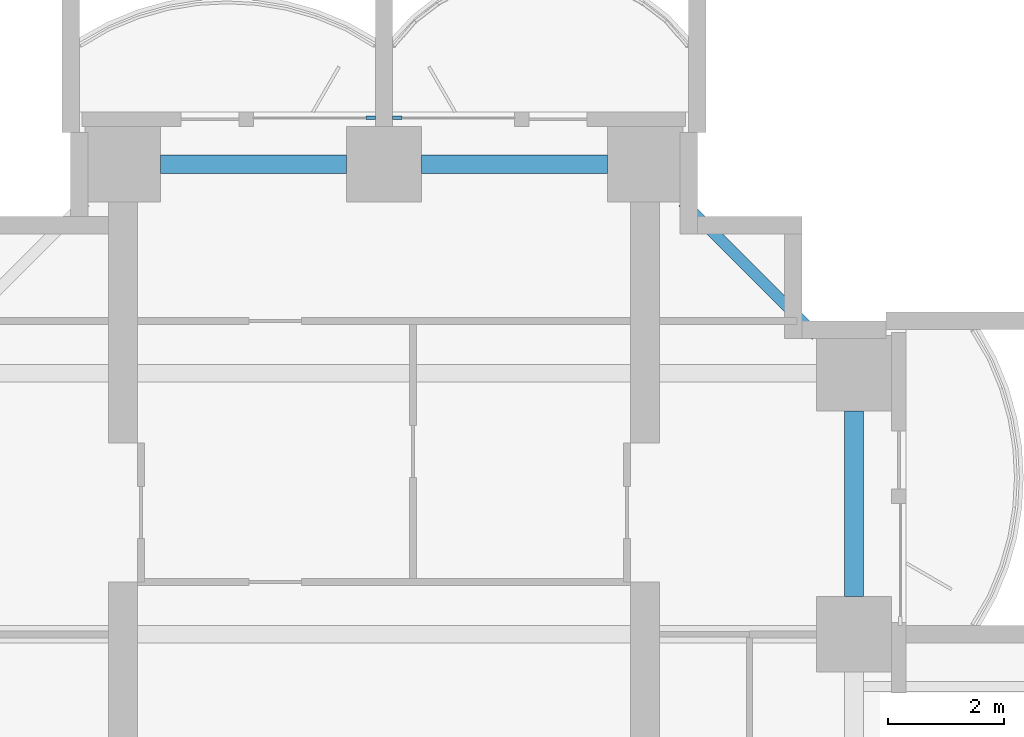
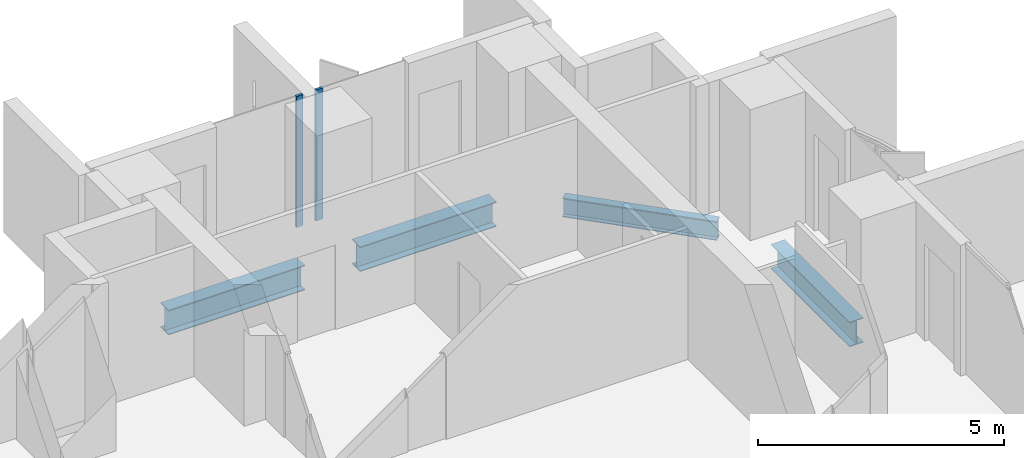
# One storey, part 7 of 20: 4 beams, 2 members, 2 elements without a shape of their own.
"""IFC4 building model written with IfcOpenShell, lengths in metres."""

from ifc_helpers import new_model, si_unit, direction, frame, origin, origin_2d, place, context, subcontext, project, spatial, rectangle, i_section, extrude, material, material_profile, profile_set, type_object, element, aggregate, save


model = new_model("IFC4")

# Units and contexts
model_context = context("Model", 3, precision=1e-05, world=origin(), true_north=direction((0.0, 1.0)))
body_context = subcontext(model_context, "Body", "Model", "MODEL_VIEW")
ifc_project = project(units=[si_unit("LENGTHUNIT", "METRE"), si_unit("AREAUNIT", "SQUARE_METRE"), si_unit("VOLUMEUNIT", "CUBIC_METRE"), si_unit("PLANEANGLEUNIT", "RADIAN"), si_unit("MASSUNIT", "GRAM", prefix="KILO")], contexts=[model_context])

# Site, building, storey
site_placement = place(None, origin())
site = spatial("IfcSite", under=ifc_project, at=site_placement, CompositionType="ELEMENT")
building_placement = place(site_placement, origin())
building = spatial("IfcBuilding", under=site, at=building_placement, Name="Perihelion Cross Residences", CompositionType="ELEMENT")
storey_placement = place(building_placement, frame((0.0, 0.0, 82.0)))
storey = spatial("IfcBuildingStorey", under=building, at=storey_placement, Name="L18", CompositionType="ELEMENT", Elevation=82.0)

# Curtain wall, member
ifc_material_1 = material(Name="Bronze anodised aluminium, tinted glazing", Category="aluminium")
curtain_wall_type = type_object("IfcCurtainWallType", Name="CW1", PredefinedType="NOTDEFINED", material=ifc_material_1)
curtain_wall_1_placement = place(storey_placement, origin())
curtain_wall_1 = element("IfcCurtainWall", 1, at=curtain_wall_1_placement, inside=storey, type_object=curtain_wall_type, Name="Curtain wall CW1 L18 north tip north bay 1", PredefinedType="NOTDEFINED")
ifc_material_2 = material(Name="Bronze anodised aluminium", Category="aluminium")
ifc_material_profile_1 = material_profile(ifc_material_2, rectangle(XDim=0.06005859375, YDim=0.159912109375, at=origin_2d()), Name="CW1 mullion")
ifc_profile_set_1 = profile_set([ifc_material_profile_1], Name="Bronze anodised aluminium")
member_type = type_object("IfcMemberType", Name="CW1 mullion", PredefinedType="MULLION", material=ifc_profile_set_1)
member_1_placement = place(storey_placement, frame((0.22998046875, 26.89990234375, 0.0), z_axis=(0.0, 0.0, 1.0), x_axis=(0.0, -1.0, 0.0)))
member_1 = element("IfcMember", 2, at=member_1_placement, type_object=member_type, Name="CW1 mullion 2", PredefinedType="MULLION", context=body_context, shape_type="SweptSolid", body=[
    extrude(rectangle(XDim=0.06005859375, YDim=0.159912109375, at=origin_2d()), origin(), (0.0, 0.0, 1.0), 3.25),
])
aggregate(curtain_wall_1, [member_1])

curtain_wall_2_placement = place(storey_placement, origin())
curtain_wall_2 = element("IfcCurtainWall", 3, at=curtain_wall_2_placement, inside=storey, type_object=curtain_wall_type, Name="Curtain wall CW1 L18 north tip north bay 2", PredefinedType="NOTDEFINED")
member_2_placement = place(storey_placement, frame((-0.22998046875, 26.89990234375, 0.0), z_axis=(0.0, 0.0, 1.0), x_axis=(0.0, -1.0, 0.0)))
member_2 = element("IfcMember", 4, at=member_2_placement, type_object=member_type, Name="CW1 mullion 1", PredefinedType="MULLION", context=body_context, shape_type="SweptSolid", body=[
    extrude(rectangle(XDim=0.06005859375, YDim=0.159912109375, at=origin_2d()), origin(), (0.0, 0.0, 1.0), 3.25),
])
aggregate(curtain_wall_2, [member_2])

# Beams
ifc_material_3 = material(Name="Steel S355", Category="steel")
ifc_material_profile_2 = material_profile(ifc_material_3, i_section(OverallWidth=0.324951171875, OverallDepth=0.616943359375, WebThickness=0.013916015625, FlangeThickness=0.021484375, at=origin_2d()), Name="W610x174")
ifc_profile_set_2 = profile_set([ifc_material_profile_2], Name="Steel S355")
beam_type_1 = type_object("IfcBeamType", Name="Edge beam W610x174", PredefinedType="SPANDREL", material=ifc_profile_set_2)
for number, where, z_axis, x_axis, name in (
    (5, (8.10009765625, 18.64990234375, -0.55859375), (0.0, 1.0, 0.0), (-1.0, 0.0, 0.0), "Edge beam SB2 L18 no. 19"),
    (6, (3.85009765625, 26.10009765625, -0.55859375), (-1.0, 0.0, 0.0), (0.0, -1.0, 0.0), "Edge beam SB2 L18 no. 15"),
    (7, (-0.64990234375, 26.10009765625, -0.55859375), (-1.0, 0.0, 0.0), (0.0, -1.0, 0.0), "Edge beam SB2 L18 no. 11"),
):
    element("IfcBeam", number, at=place(storey_placement, frame(where, z_axis=z_axis, x_axis=x_axis)), inside=storey, type_object=beam_type_1, Name=name, PredefinedType="SPANDREL", context=body_context, shape_type="SweptSolid", body=[
        extrude(i_section(OverallWidth=0.324951171875, OverallDepth=0.616943359375, WebThickness=0.013916015625, FlangeThickness=0.021484375, at=origin_2d()), origin(), (0.0, 0.0, 1.0), 3.2001953125),
    ])
ifc_material_4 = material(Name="Steel S355", Category="steel")
ifc_material_profile_3 = material_profile(ifc_material_4, i_section(OverallWidth=0.194091796875, OverallDepth=0.469970703125, WebThickness=0.0126953125, FlangeThickness=0.0205078125, at=origin_2d()), Name="W460x106")
ifc_profile_set_3 = profile_set([ifc_material_profile_3], Name="Steel S355")
beam_type_2 = type_object("IfcBeamType", Name="Serration edge beam W460x106", PredefinedType="BEAM", material=ifc_profile_set_3)
beam_placement = place(storey_placement, frame((7.449951171875, 23.14990234375, -0.485107421875), z_axis=(-0.707106781187, 0.707106781187, 0.0), x_axis=(-0.707106781187, -0.707106781187, 0.0)))
element("IfcBeam", 8, at=beam_placement, inside=storey, type_object=beam_type_2, Name="Serration edge beam EB2 L18 no. 4", PredefinedType="BEAM", context=body_context, shape_type="SweptSolid", body=[
    extrude(i_section(OverallWidth=0.194091796875, OverallDepth=0.469970703125, WebThickness=0.0126953125, FlangeThickness=0.0205078125, at=origin_2d()), origin(), (0.0, 0.0, 1.0), 3.252685546875),
])

save(model, "model.ifc")
